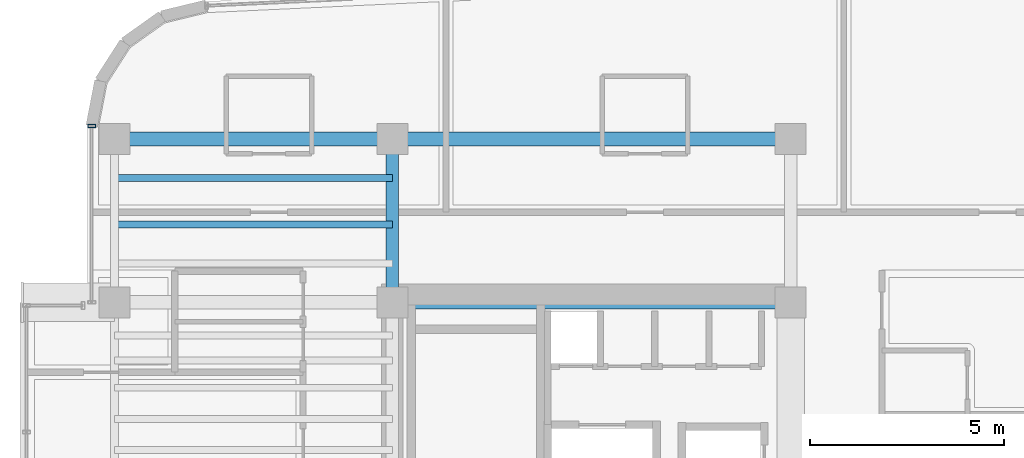
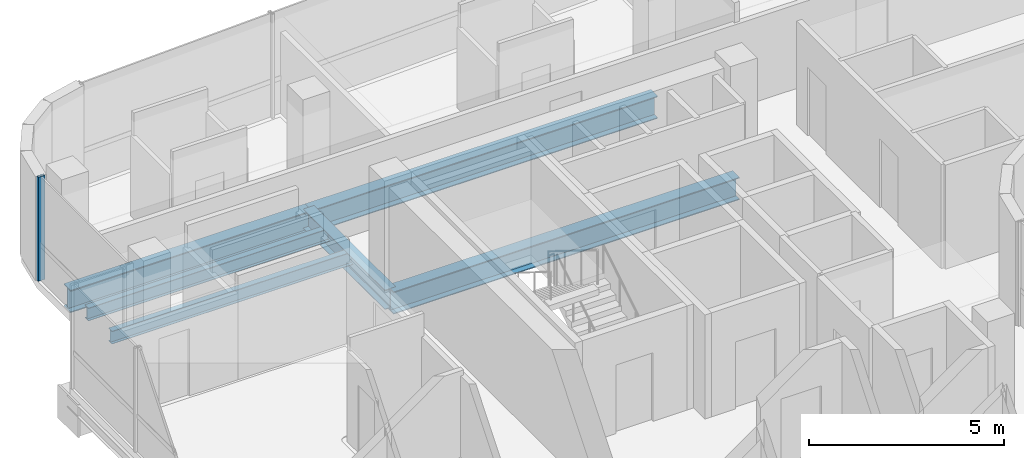
# One storey, part 7 of 20: 6 beams, 1 member, 1 element without a shape of its own.
"""IFC4 building model written with IfcOpenShell, lengths in metres."""

from ifc_helpers import new_model, si_unit, direction, frame, origin, origin_2d, place, context, subcontext, project, spatial, hollow_rectangle, i_section, extrude, source, transform, mapped, material, material_profile, profile_set, type_object, element, aggregate, save


model = new_model("IFC4")

# Units and contexts
model_context = context("Model", 3, precision=1e-05, world=origin(), true_north=direction((0.0, 1.0)))
body_context = subcontext(model_context, "Body", "Model", "MODEL_VIEW")
ifc_project = project(units=[si_unit("LENGTHUNIT", "METRE"), si_unit("AREAUNIT", "SQUARE_METRE"), si_unit("VOLUMEUNIT", "CUBIC_METRE"), si_unit("PLANEANGLEUNIT", "RADIAN"), si_unit("MASSUNIT", "GRAM", prefix="KILO")], contexts=[model_context])

# Site, building, storey
site_placement = place(None, origin())
site = spatial("IfcSite", under=ifc_project, at=site_placement, CompositionType="ELEMENT")
building_placement = place(site_placement, origin())
building = spatial("IfcBuilding", under=site, at=building_placement, Name="Valdorenza Pilgrim Sanctuary Tower", CompositionType="ELEMENT")
storey_placement = place(building_placement, frame((0.0, 0.0, 244.0)))
storey = spatial("IfcBuildingStorey", under=building, at=storey_placement, Name="L63", CompositionType="ELEMENT", Elevation=244.0)

# Beams
ifc_material_1 = material(Name="Steel ASTM A992 Grade 50", Category="steel")
ifc_material_profile_1 = material_profile(ifc_material_1, i_section(OverallWidth=0.323974609375, OverallDepth=0.611083984375, WebThickness=0.0126953125, FlangeThickness=0.01904296875, at=origin_2d()), Name="W24X104")
ifc_profile_set_1 = profile_set([ifc_material_profile_1], Name="Steel ASTM A992 Grade 50")
beam_type_1 = type_object("IfcBeamType", Name="STR-BM-GRD-W24B", PredefinedType="BEAM", material=ifc_profile_set_1)
shared_shape_1 = source(origin(), body_context, "Body", "SweptSolid", [
    extrude(i_section(OverallWidth=0.323974609375, OverallDepth=0.611083984375, WebThickness=0.0126953125, FlangeThickness=0.01904296875, at=origin_2d()), origin(), (0.0, 0.0, 1.0), 4.199951171875),
])
beam_1_placement = place(storey_placement, frame((-22.64990234375, 10.60009765625, -0.54541015625), z_axis=(0.0, 1.0, 0.0), x_axis=(-1.0, 0.0, 0.0)))
element("IfcBeam", 1, at=beam_1_placement, inside=storey, type_object=beam_type_1, Name="L63 Core Tie Girder CA-W-N1N2", PredefinedType="BEAM", context=body_context, shape_type="MappedRepresentation", body=[
    mapped(shared_shape_1, transform((0.0, 0.0, 0.0), x_axis=(1.0, 0.0, 0.0), y_axis=(0.0, 1.0, 0.0), z_axis=(0.0, 0.0, 1.0), scale=1.0)),
])
ifc_material_profile_2 = material_profile(ifc_material_1, i_section(OverallWidth=0.35595703125, OverallDepth=0.700927734375, WebThickness=0.016845703125, FlangeThickness=0.02734375, at=origin_2d()), Name="W27X161")
ifc_profile_set_2 = profile_set([ifc_material_profile_2], Name="Steel ASTM A992 Grade 50")
beam_type_2 = type_object("IfcBeamType", Name="STR-BM-GRD-W27", PredefinedType="BEAM", material=ifc_profile_set_2)
shared_shape_2 = source(origin(), body_context, "Body", "SweptSolid", [
    extrude(i_section(OverallWidth=0.35595703125, OverallDepth=0.700927734375, WebThickness=0.016845703125, FlangeThickness=0.02734375, at=origin_2d()), origin(), (0.0, 0.0, 1.0), 7.150146484375),
])
beam_2_placement = place(storey_placement, frame((-29.800048828125, 14.800048828125, -0.590576171875), z_axis=(1.0, 0.0, 0.0), x_axis=(0.0, 1.0, 0.0)))
element("IfcBeam", 2, at=beam_2_placement, inside=storey, type_object=beam_type_2, Name="L63 Floor Girder WA-XW-N2", PredefinedType="BEAM", context=body_context, shape_type="MappedRepresentation", body=[
    mapped(shared_shape_2, transform((0.0, 0.0, 0.0), x_axis=(1.0, 0.0, 0.0), y_axis=(0.0, 1.0, 0.0), z_axis=(0.0, 0.0, 1.0), scale=1.0)),
])
shared_shape_3 = source(origin(), body_context, "Body", "SweptSolid", [
    extrude(i_section(OverallWidth=0.35595703125, OverallDepth=0.700927734375, WebThickness=0.016845703125, FlangeThickness=0.02734375, at=origin_2d()), origin(), (0.0, 0.0, 1.0), 10.25),
])
for number, where, z_axis, x_axis, name in (
    (3, (-22.64990234375, 10.60009765625, -0.590576171875), (1.0, 0.0, 0.0), (0.0, 1.0, 0.0), "L63 Floor Girder CA-XC-N1"),
    (4, (-22.64990234375, 14.800048828125, -0.590576171875), (1.0, 0.0, 0.0), (0.0, 1.0, 0.0), "L63 Floor Girder CA-XC-N2"),
):
    element("IfcBeam", number, at=place(storey_placement, frame(where, z_axis=z_axis, x_axis=x_axis)), inside=storey, type_object=beam_type_2, Name=name, PredefinedType="BEAM", context=body_context, shape_type="MappedRepresentation", body=[
        mapped(shared_shape_3, transform((0.0, 0.0, 0.0), x_axis=(1.0, 0.0, 0.0), y_axis=(0.0, 1.0, 0.0), z_axis=(0.0, 0.0, 1.0), scale=1.0)),
    ])
ifc_material_profile_3 = material_profile(ifc_material_1, i_section(OverallWidth=0.177978515625, OverallDepth=0.406005859375, WebThickness=0.0078125, FlangeThickness=0.0126953125, at=origin_2d()), Name="W16X40")
ifc_profile_set_3 = profile_set([ifc_material_profile_3], Name="Steel ASTM A992 Grade 50")
beam_type_3 = type_object("IfcBeamType", Name="STR-BM-JST-W16", PredefinedType="JOIST", material=ifc_profile_set_3)
shared_shape_4 = source(origin(), body_context, "Body", "SweptSolid", [
    extrude(i_section(OverallWidth=0.177978515625, OverallDepth=0.406005859375, WebThickness=0.0078125, FlangeThickness=0.0126953125, at=origin_2d()), origin(), (0.0, 0.0, 1.0), 7.150146484375),
])
for number, where, z_axis, x_axis, name in (
    (5, (-29.800048828125, 12.60009765625, -0.443115234375), (1.0, 0.0, 0.0), (0.0, 1.0, 0.0), "L63 Composite Floor Joist JST-WA-25"),
    (6, (-29.800048828125, 13.800048828125, -0.443115234375), (1.0, 0.0, 0.0), (0.0, 1.0, 0.0), "L63 Composite Floor Joist JST-WA-26"),
):
    element("IfcBeam", number, at=place(storey_placement, frame(where, z_axis=z_axis, x_axis=x_axis)), inside=storey, type_object=beam_type_3, Name=name, PredefinedType="JOIST", context=body_context, shape_type="MappedRepresentation", body=[
        mapped(shared_shape_4, transform((0.0, 0.0, 0.0), x_axis=(1.0, 0.0, 0.0), y_axis=(0.0, 1.0, 0.0), z_axis=(0.0, 0.0, 1.0), scale=1.0)),
    ])

# Curtain wall, member
ifc_material_2 = material(Name="Curtain-wall IGU glazing", Category="glass")
curtain_wall_type = type_object("IfcCurtainWallType", Name="CW-SYS-02", PredefinedType="NOTDEFINED", material=ifc_material_2)
curtain_wall_placement = place(storey_placement, origin())
curtain_wall = element("IfcCurtainWall", 7, at=curtain_wall_placement, inside=storey, type_object=curtain_wall_type, Name="L63 Curtain Wall CW-L63-1-1S2", PredefinedType="NOTDEFINED")
ifc_material_3 = material(Name="Anodised aluminium AW-6060", Category="aluminium")
ifc_material_profile_4 = material_profile(ifc_material_3, hollow_rectangle(XDim=0.0849609375, YDim=0.199951171875, WallThickness=0.0048828125, at=origin_2d()), Name="ALU-M 200x85x5")
ifc_profile_set_4 = profile_set([ifc_material_profile_4], Name="Anodised aluminium AW-6060")
member_type = type_object("IfcMemberType", Name="CW-MUL-02", PredefinedType="MULLION", material=ifc_profile_set_4)
shared_shape_5 = source(origin(), body_context, "Body", "SweptSolid", [
    extrude(hollow_rectangle(XDim=0.0849609375, YDim=0.199951171875, WallThickness=0.0048828125, at=origin_2d()), origin(), (0.0, 0.0, 1.0), 3.260009765625),
])
member_placement = place(storey_placement, frame((-30.389892578125, 15.13671875, 0.0), z_axis=(0.0, 0.0, 1.0), x_axis=(0.0, 1.0, 0.0)))
member = element("IfcMember", 8, at=member_placement, type_object=member_type, Name="CW-L63-1-1S2 Mullion 2", PredefinedType="MULLION", context=body_context, shape_type="MappedRepresentation", body=[
    mapped(shared_shape_5, transform((0.0, 0.0, 0.0), x_axis=(1.0, 0.0, 0.0), y_axis=(0.0, 1.0, 0.0), z_axis=(0.0, 0.0, 1.0), scale=1.0)),
])
aggregate(curtain_wall, [member])

save(model, "model.ifc")
